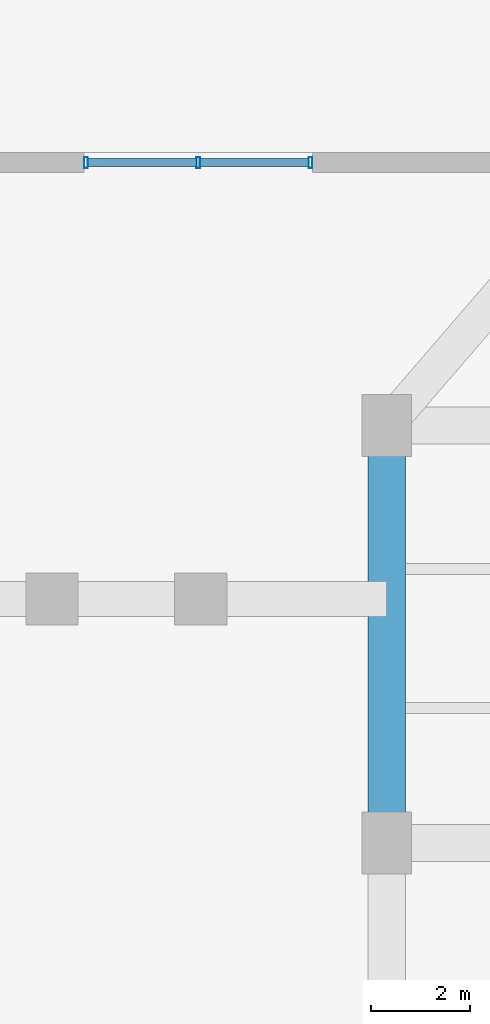
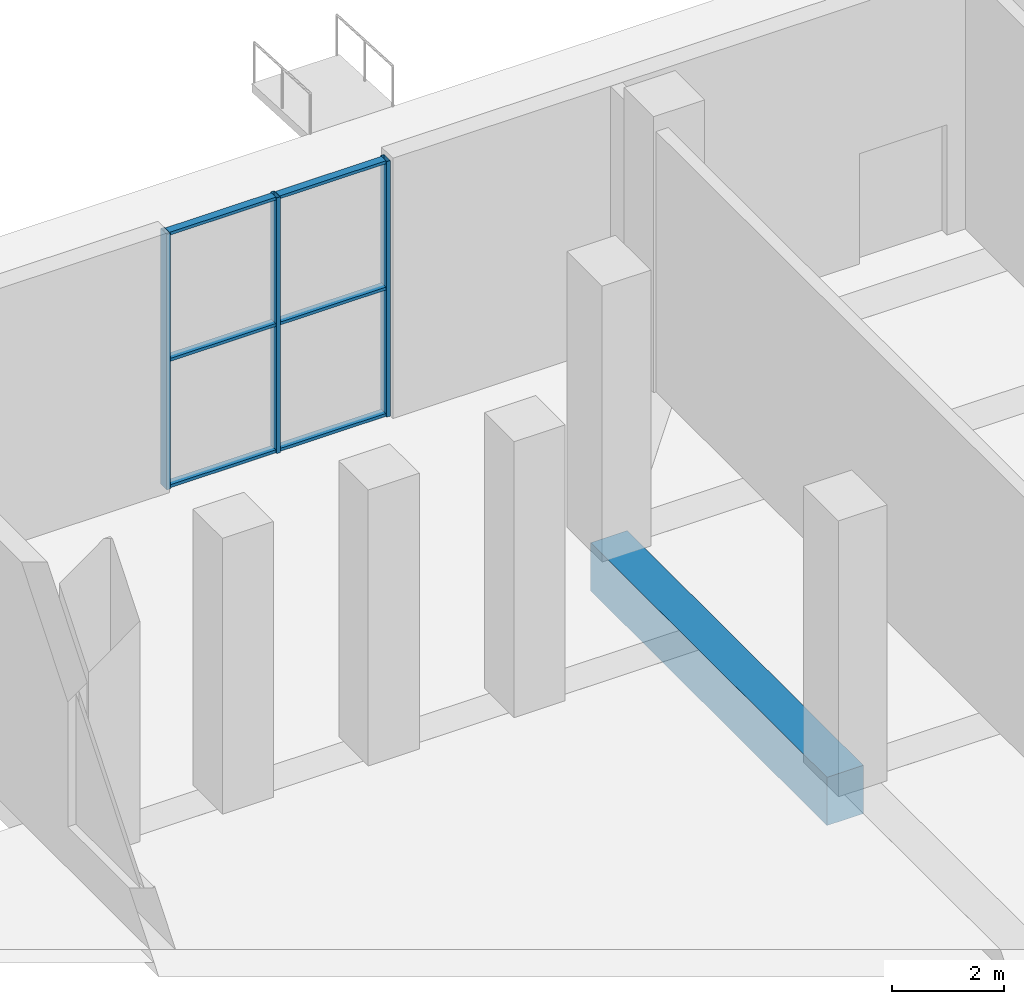
# One storey, part 8 of 25: 9 members, 1 beam, 1 element without a shape of its own.
"""IFC4 building model written with IfcOpenShell, lengths in metres."""

from ifc_helpers import new_model, si_unit, direction, frame, origin, origin_2d, place, context, subcontext, project, spatial, rectangle, hollow_rectangle, extrude, source, transform, mapped, material, layer, layer_set, material_profile, profile_set, type_object, element, aggregate, save


model = new_model("IFC4")

# Units and contexts
model_context = context("Model", 3, precision=1e-05, world=origin(), true_north=direction((0.0, 1.0)))
body_context = subcontext(model_context, "Body", "Model", "MODEL_VIEW")
ifc_project = project(units=[si_unit("LENGTHUNIT", "METRE"), si_unit("AREAUNIT", "SQUARE_METRE"), si_unit("VOLUMEUNIT", "CUBIC_METRE"), si_unit("PLANEANGLEUNIT", "RADIAN"), si_unit("MASSUNIT", "GRAM", prefix="KILO"), si_unit("THERMODYNAMICTEMPERATUREUNIT", "KELVIN")], contexts=[model_context])

# Site, building, storey
site_placement = place(None, origin())
site = spatial("IfcSite", under=ifc_project, at=site_placement, CompositionType="ELEMENT")
building_placement = place(site_placement, origin())
building = spatial("IfcBuilding", under=site, at=building_placement, Name="Kosmvard Interchange Tower", CompositionType="ELEMENT")
storey_placement = place(building_placement, origin())
storey = spatial("IfcBuildingStorey", under=building, at=storey_placement, Name="L00", CompositionType="ELEMENT", Elevation=0.0)

# Beam
ifc_material_1 = material(Name="Concrete C60/75", Category="concrete")
ifc_material_profile_1 = material_profile(ifc_material_1, rectangle(XDim=0.75, YDim=1.050048828125, at=origin_2d()), Name="RCG 750x1050")
ifc_profile_set_1 = profile_set([ifc_material_profile_1], Name="Concrete C60/75")
beam_type = type_object("IfcBeamType", Name="Concourse Mid-Span RC Girder 750x1050 C60/75", PredefinedType="BEAM", material=ifc_profile_set_1)
shared_shape_1 = source(origin(), body_context, "Body", "SweptSolid", [
    extrude(rectangle(XDim=0.75, YDim=1.050048828125, at=origin_2d()), origin(), (0.0, 0.0, 1.0), 8.4189453125),
])
beam_placement = place(storey_placement, frame((-28.5, 13.0810546875, -0.52490234375), z_axis=(0.0, 1.0, 0.0), x_axis=(-1.0, 0.0, 0.0)))
element("IfcBeam", 1, at=beam_placement, inside=storey, type_object=beam_type, Name="BM-L00-PG-W4", PredefinedType="BEAM", context=body_context, shape_type="MappedRepresentation", body=[
    mapped(shared_shape_1, transform((0.0, 0.0, 0.0), scale=1.0)),
])

# Curtain wall, members
ifc_material_2 = material(Name="Architectural anodised aluminium", Category="aluminium")
ifc_layer = layer(ifc_material_2, 0.219970703125, Name="Architectural anodised aluminium")
ifc_layer_set = layer_set([ifc_layer], Name="Architectural anodised aluminium")
curtain_wall_type = type_object("IfcCurtainWallType", Name="CW-1 Concourse Shopfront Curtain Wall", PredefinedType="NOTDEFINED", material=ifc_layer_set)
curtain_wall_placement = place(storey_placement, origin())
curtain_wall = element("IfcCurtainWall", 2, at=curtain_wall_placement, inside=storey, type_object=curtain_wall_type, Name="L00 Shopfront Curtain Wall CW1-N1", PredefinedType="NOTDEFINED")
ifc_material_profile_2 = material_profile(ifc_material_2, hollow_rectangle(XDim=0.219970703125, YDim=0.074951171875, WallThickness=0.0048828125, at=origin_2d()), Name="CWM 220x75x5")
ifc_profile_set_2 = profile_set([ifc_material_profile_2], Name="Architectural anodised aluminium")
member_type_1 = type_object("IfcMemberType", Name="Concourse CW Mullion 220x75 Aluminium", PredefinedType="MULLION", material=ifc_profile_set_2)
shared_shape_2 = source(origin(), body_context, "Body", "SweptSolid", [
    extrude(hollow_rectangle(XDim=0.219970703125, YDim=0.074951171875, WallThickness=0.0048828125, at=origin_2d()), origin(), (0.0, 0.0, 1.0), 5.56005859375),
])
member_1_placement = place(storey_placement, frame((-34.5625, 26.800048828125, 0.0), z_axis=(0.0, 0.0, 1.0), x_axis=(0.0, 1.0, 0.0)))
member_1 = element("IfcMember", 3, at=member_1_placement, type_object=member_type_1, Name="CW-1 mullion 1", PredefinedType="MULLION", context=body_context, shape_type="MappedRepresentation", body=[
    mapped(shared_shape_2, transform((0.0, 0.0, 0.0), scale=1.0)),
])
member_2_placement = place(storey_placement, frame((-32.300048828125, 26.800048828125, 0.0), z_axis=(0.0, 0.0, 1.0), x_axis=(0.0, 1.0, 0.0)))
member_2 = element("IfcMember", 4, at=member_2_placement, type_object=member_type_1, Name="CW-1 mullion 2", PredefinedType="MULLION", context=body_context, shape_type="MappedRepresentation", body=[
    mapped(shared_shape_2, transform((0.0, 0.0, 0.0), scale=1.0)),
])
member_3_placement = place(storey_placement, frame((-30.03759765625, 26.800048828125, 0.0), z_axis=(0.0, 0.0, 1.0), x_axis=(0.0, 1.0, 0.0)))
member_3 = element("IfcMember", 5, at=member_3_placement, type_object=member_type_1, Name="CW-1 mullion 3", PredefinedType="MULLION", context=body_context, shape_type="MappedRepresentation", body=[
    mapped(shared_shape_2, transform((0.0, 0.0, 0.0), scale=1.0)),
])
ifc_material_profile_3 = material_profile(ifc_material_2, hollow_rectangle(XDim=0.159912109375, YDim=0.06494140625, WallThickness=0.00390625, at=origin_2d()), Name="CWT 160x65x4")
ifc_profile_set_3 = profile_set([ifc_material_profile_3], Name="Architectural anodised aluminium")
member_type_2 = type_object("IfcMemberType", Name="Standard CW Transom 160x65 Aluminium", PredefinedType="USERDEFINED", material=ifc_profile_set_3)
shared_shape_3 = source(origin(), body_context, "Body", "SweptSolid", [
    extrude(hollow_rectangle(XDim=0.159912109375, YDim=0.06494140625, WallThickness=0.00390625, at=origin_2d()), origin(), (0.0, 0.0, 1.0), 2.1875),
])
member_4_placement = place(storey_placement, frame((-34.52490234375, 26.800048828125, 0.032470703125), z_axis=(1.0, 0.0, 0.0), x_axis=(0.0, 1.0, 0.0)))
member_4 = element("IfcMember", 6, at=member_4_placement, type_object=member_type_2, Name="CW-1 transom 1.1", ObjectType="TRANSOM", PredefinedType="USERDEFINED", context=body_context, shape_type="MappedRepresentation", body=[
    mapped(shared_shape_3, transform((0.0, 0.0, 0.0), scale=1.0)),
])
member_5_placement = place(storey_placement, frame((-34.52490234375, 26.800048828125, 2.780029296875), z_axis=(1.0, 0.0, 0.0), x_axis=(0.0, 1.0, 0.0)))
member_5 = element("IfcMember", 7, at=member_5_placement, type_object=member_type_2, Name="CW-1 transom 1.2", ObjectType="TRANSOM", PredefinedType="USERDEFINED", context=body_context, shape_type="MappedRepresentation", body=[
    mapped(shared_shape_3, transform((0.0, 0.0, 0.0), scale=1.0)),
])
member_6_placement = place(storey_placement, frame((-34.52490234375, 26.800048828125, 5.527587890625), z_axis=(1.0, 0.0, 0.0), x_axis=(0.0, 1.0, 0.0)))
member_6 = element("IfcMember", 8, at=member_6_placement, type_object=member_type_2, Name="CW-1 transom 1.3", ObjectType="TRANSOM", PredefinedType="USERDEFINED", context=body_context, shape_type="MappedRepresentation", body=[
    mapped(shared_shape_3, transform((0.0, 0.0, 0.0), scale=1.0)),
])
member_7_placement = place(storey_placement, frame((-32.262451171875, 26.800048828125, 0.032470703125), z_axis=(1.0, 0.0, 0.0), x_axis=(0.0, 1.0, 0.0)))
member_7 = element("IfcMember", 9, at=member_7_placement, type_object=member_type_2, Name="CW-1 transom 2.1", ObjectType="TRANSOM", PredefinedType="USERDEFINED", context=body_context, shape_type="MappedRepresentation", body=[
    mapped(shared_shape_3, transform((0.0, 0.0, 0.0), scale=1.0)),
])
member_8_placement = place(storey_placement, frame((-32.262451171875, 26.800048828125, 2.780029296875), z_axis=(1.0, 0.0, 0.0), x_axis=(0.0, 1.0, 0.0)))
member_8 = element("IfcMember", 10, at=member_8_placement, type_object=member_type_2, Name="CW-1 transom 2.2", ObjectType="TRANSOM", PredefinedType="USERDEFINED", context=body_context, shape_type="MappedRepresentation", body=[
    mapped(shared_shape_3, transform((0.0, 0.0, 0.0), scale=1.0)),
])
member_9_placement = place(storey_placement, frame((-32.262451171875, 26.800048828125, 5.527587890625), z_axis=(1.0, 0.0, 0.0), x_axis=(0.0, 1.0, 0.0)))
member_9 = element("IfcMember", 11, at=member_9_placement, type_object=member_type_2, Name="CW-1 transom 2.3", ObjectType="TRANSOM", PredefinedType="USERDEFINED", context=body_context, shape_type="MappedRepresentation", body=[
    mapped(shared_shape_3, transform((0.0, 0.0, 0.0), scale=1.0)),
])
aggregate(curtain_wall, [member_1, member_2, member_3, member_4, member_5, member_6, member_7, member_8, member_9])

save(model, "model.ifc")
